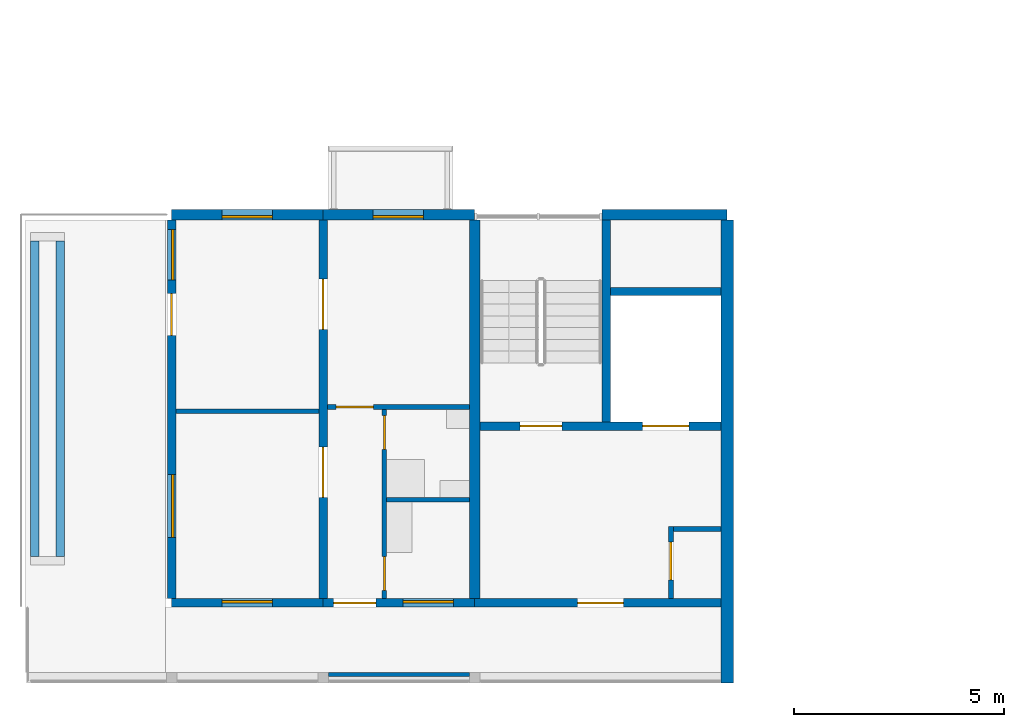
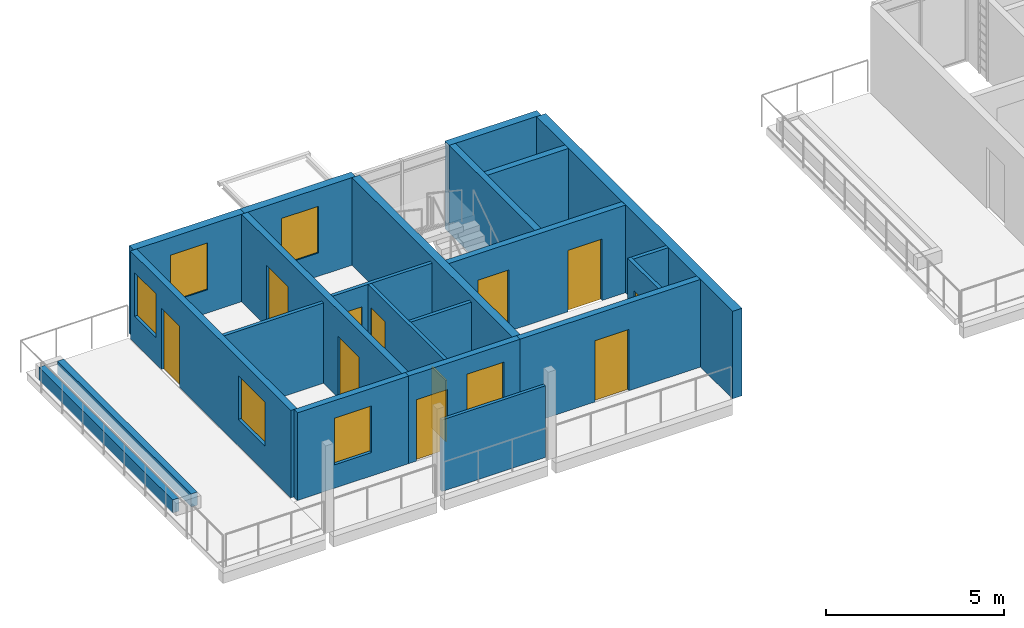
# One storey, part 26 of 55: 22 walls, 11 doors, 6 windows, 17 openings.
"""IFC4 building model written with IfcOpenShell, lengths in metres."""

import ifcopenshell
import ifcopenshell.guid

model = None  # the IFC model being written
_history = None  # IfcOwnerHistory: only IFC2X3 demands one
_inside = {}  # id of a spatial element -> (the spatial element, [elements in it])
_under = {}  # id of a project, library or spatial element -> (it, [spatial elements below it])
_declared = {}  # id of a project -> (the project, [libraries it declares])
_typed = {}  # id of a type object -> (the type object, [elements of that type])
_made_of = {}  # id of a material, layer set ... -> (it, [elements and type objects made of it])


def new_model(schema):
    """Start an empty IFC model of exactly this schema.

    Asked for "IFC4X3", IfcOpenShell would pick the latest addendum, in which some entities
    have other attributes; the version numbers below select the first issue.
    IFC2X3 requires an IfcOwnerHistory on every rooted entity: one is made here for all.
    """
    global model, _history
    if schema == "IFC4X3":
        model = ifcopenshell.file(schema_version=(4, 3, 0, 0))
    else:
        model = ifcopenshell.file(schema=schema)
    _inside.clear()
    _under.clear()
    _declared.clear()
    _typed.clear()
    _made_of.clear()
    _history = None
    if model.schema == "IFC2X3":
        org = make("IfcOrganization", Name="unknown")
        user = make(
            "IfcPersonAndOrganization",
            ThePerson=make("IfcPerson", FamilyName="unknown"),
            TheOrganization=org,
        )
        app = make(
            "IfcApplication",
            ApplicationDeveloper=org,
            Version="unknown",
            ApplicationFullName="unknown",
            ApplicationIdentifier="unknown",
        )
        _history = make(
            "IfcOwnerHistory",
            OwningUser=user,
            OwningApplication=app,
            ChangeAction="ADDED",
            CreationDate=0,
        )
    return model


def make(cls, **values):
    """One entity of the class cls with the attributes given. An attribute that is None is left unset."""
    return model.create_entity(
        cls, **{name: value for name, value in values.items() if value is not None}
    )


def rooted(cls, **values):
    """An entity with a GlobalId (a new one), such as an element, a storey or a relation."""
    return make(cls, GlobalId=ifcopenshell.guid.new(), OwnerHistory=_history, **values)


def si_unit(unit_type, name, prefix=None):
    """IfcSIUnit, for example si_unit("LENGTHUNIT", "METRE", prefix="MILLI")."""
    return make("IfcSIUnit", UnitType=unit_type, Prefix=prefix, Name=name)


def assignment(units):
    """IfcUnitAssignment: the units of a project."""
    return None if units is None else make("IfcUnitAssignment", Units=units)


def point(xyz):
    """IfcCartesianPoint."""
    return None if xyz is None else make("IfcCartesianPoint", Coordinates=xyz)


def direction(xyz):
    """IfcDirection."""
    return None if xyz is None else make("IfcDirection", DirectionRatios=xyz)


def frame(location, z_axis=None, x_axis=None):
    """IfcAxis2Placement3D, a coordinate frame: its origin and axes. An axis left out is left unset."""
    return make(
        "IfcAxis2Placement3D",
        Location=point(location),
        Axis=direction(z_axis),
        RefDirection=direction(x_axis),
    )


def frame_2d(location, x_axis=None):
    """IfcAxis2Placement2D, a coordinate frame in the plane: its origin and x axis."""
    return make(
        "IfcAxis2Placement2D", Location=point(location), RefDirection=direction(x_axis)
    )


def origin():
    """The frame at (0, 0, 0) with its axes left unset."""
    return frame((0.0, 0.0, 0.0))


def place(relative_to, where):
    """IfcLocalPlacement: puts the frame where relative to a parent placement (None: the world)."""
    return make(
        "IfcLocalPlacement", PlacementRelTo=relative_to, RelativePlacement=where
    )


def context(
    kind, dimensions, precision=None, world=None, true_north=None, identifier=None
):
    """IfcGeometricRepresentationContext, for example the 3D "Model" context."""
    return make(
        "IfcGeometricRepresentationContext",
        ContextIdentifier=identifier,
        ContextType=kind,
        CoordinateSpaceDimension=dimensions,
        Precision=precision,
        WorldCoordinateSystem=world,
        TrueNorth=true_north,
    )


def subcontext(parent, identifier, kind, view, scale=None):
    """IfcGeometricRepresentationSubContext, for example "Body" below "Model"."""
    return make(
        "IfcGeometricRepresentationSubContext",
        ContextIdentifier=identifier,
        ContextType=kind,
        ParentContext=parent,
        TargetScale=scale,
        TargetView=view,
    )


def project(units=None, contexts=None):
    """IfcProject with its units and contexts."""
    return rooted(
        "IfcProject",
        Name="project",
        RepresentationContexts=contexts,
        UnitsInContext=assignment(units),
    )


def spatial(cls, under=None, at=None, **own):
    """A site, building, storey or space (cls), placed at a placement, below another one or the project."""
    s = rooted(cls, ObjectPlacement=at, **own)
    if under is not None:
        _under.setdefault(under.id(), (under, []))[1].append(s)
    return s


def profile(cls, at=None, kind="AREA", **sizes):
    """A parametric profile (cls). Its sizes go by their IFC names, for example OverallWidth=200.0."""
    return make(cls, ProfileType=kind, Position=at, **sizes)


def rectangle(**sizes):
    """IfcRectangleProfileDef."""
    return profile("IfcRectangleProfileDef", **sizes)


def extrude(swept, where, along, depth):
    """IfcExtrudedAreaSolid: the profile swept, set in the frame where, extruded along a direction by depth."""
    return make(
        "IfcExtrudedAreaSolid",
        SweptArea=swept,
        Position=where,
        ExtrudedDirection=direction(along),
        Depth=depth,
    )


def shape(context_of_items, identifier, shape_type, items):
    """IfcShapeRepresentation: the items that make up one representation, for example the "Body"."""
    return make(
        "IfcShapeRepresentation",
        ContextOfItems=context_of_items,
        RepresentationIdentifier=identifier,
        RepresentationType=shape_type,
        Items=items,
    )


def material(Name=None, Category=None):
    """IfcMaterial."""
    return make("IfcMaterial", Name=Name, Category=Category)


def layer(
    of_material, thickness, ventilated=None, Name=None, Category=None, Priority=None
):
    """IfcMaterialLayer: one layer of a wall or slab, of a material (None: an air gap)."""
    return make(
        "IfcMaterialLayer",
        Material=of_material,
        LayerThickness=thickness,
        IsVentilated=ventilated,
        Name=Name,
        Category=Category,
        Priority=Priority,
    )


def layer_set(layers, Name=None):
    """IfcMaterialLayerSet."""
    return make("IfcMaterialLayerSet", MaterialLayers=layers, LayerSetName=Name)


def made_of(thing, what):
    """Note that an element or type object is made of a material, layer set ...; save() writes the relation."""
    if what is not None:
        _made_of.setdefault(what.id(), (what, []))[1].append(thing)
    return thing


def type_object(cls, material=None, **own):
    """A type object (cls), such as IfcWallType, which elements share."""
    return made_of(rooted(cls, **own), material)


def element(
    cls,
    number,
    at=None,
    inside=None,
    cuts=None,
    type_object=None,
    material=None,
    context=None,
    identifier="Body",
    shape_type=None,
    held_by="IfcProductDefinitionShape",
    body=None,
    shapes=None,
    **own,
):
    """One element of the class cls, such as IfcWall. Its Tag is "e" and its number.

    at: its placement. inside: the storey or other place that contains it. cuts: it is an
    opening in that element (IfcRelVoidsElement). A single representation is given by context,
    identifier, shape_type and body (its items); several are given by shapes. held_by: the class
    of the entity that holds the representations. save() writes the other relations.
    """
    e = rooted(cls, Tag="e%d" % number, ObjectPlacement=at, **own)
    if body is not None:
        shapes = [shape(context, identifier, shape_type, body)]
    if shapes is not None:
        e.Representation = make(held_by, Representations=shapes)
    if inside is not None:
        _inside.setdefault(inside.id(), (inside, []))[1].append(e)
    if cuts is not None:
        rooted(
            "IfcRelVoidsElement", RelatingBuildingElement=cuts, RelatedOpeningElement=e
        )
    if type_object is not None:
        _typed.setdefault(type_object.id(), (type_object, []))[1].append(e)
    return made_of(e, material)


def fill(opening, filler):
    """IfcRelFillsElement: the door or window that sits in an opening."""
    return rooted(
        "IfcRelFillsElement",
        RelatingOpeningElement=opening,
        RelatedBuildingElement=filler,
    )


def aggregate(whole, parts):
    """IfcRelAggregates: a whole, such as a stair, and the parts it consists of."""
    return rooted("IfcRelAggregates", RelatingObject=whole, RelatedObjects=parts)


def save(model, path):
    """Write the relations noted so far, then the file.

    IfcRelAggregates (storeys below a building ...), IfcRelContainedInSpatialStructure (elements
    in a storey), IfcRelDefinesByType, IfcRelAssociatesMaterial and IfcRelDeclares: one each for
    every whole, place, type object, material and project.
    """
    for whole, parts in _under.values():
        aggregate(whole, parts)
    for where, things in _inside.values():
        rooted(
            "IfcRelContainedInSpatialStructure",
            RelatedElements=things,
            RelatingStructure=where,
        )
    for kind, things in _typed.values():
        rooted("IfcRelDefinesByType", RelatedObjects=things, RelatingType=kind)
    for what, things in _made_of.values():
        rooted("IfcRelAssociatesMaterial", RelatedObjects=things, RelatingMaterial=what)
    for by, libraries in _declared.values():
        rooted("IfcRelDeclares", RelatingContext=by, RelatedDefinitions=libraries)
    model.write(path)


model = new_model("IFC4")

# Units and contexts
model_context = context("Model", 3, precision=1e-05, world=origin(), true_north=direction((0.0, 1.0)))
body_context = subcontext(model_context, "Body", "Model", "MODEL_VIEW")
ifc_project = project(units=[si_unit("LENGTHUNIT", "METRE"), si_unit("AREAUNIT", "SQUARE_METRE"), si_unit("VOLUMEUNIT", "CUBIC_METRE"), si_unit("PLANEANGLEUNIT", "RADIAN"), si_unit("MASSUNIT", "GRAM", prefix="KILO")], contexts=[model_context])

# Site, building, storey
site_placement = place(None, origin())
site = spatial("IfcSite", under=ifc_project, at=site_placement, CompositionType="ELEMENT")
building_placement = place(site_placement, origin())
building = spatial("IfcBuilding", under=site, at=building_placement, Name="Ridgestep Commons", CompositionType="ELEMENT")
storey_placement = place(building_placement, frame((0.0, 0.0, 36.0)))
storey = spatial("IfcBuildingStorey", under=building, at=storey_placement, Name="L12", CompositionType="ELEMENT", Elevation=36.0)

# Wall
ifc_material_1 = material(Name="Concrete C30/37", Category="concrete")
ifc_layer_1 = layer(ifc_material_1, 0.25)
ifc_layer_set_1 = layer_set([ifc_layer_1], Name="Core cross wall 250")
wall_type_1 = type_object("IfcWallType", Name="Core cross wall 250", PredefinedType="SHEAR", material=ifc_layer_set_1)
wall_1_placement = place(storey_placement, frame((22.800048828125, 13.75, 0.0), z_axis=(0.0, 0.0, 1.0), x_axis=(0.0, 1.0, 0.0)))
element("IfcWall", 1, at=wall_1_placement, inside=storey, type_object=wall_type_1, Name="Cross wall A-12-0228", PredefinedType="SHEAR", context=body_context, shape_type="SweptSolid", body=[
    extrude(rectangle(XDim=9.0, YDim=0.25, at=frame_2d((4.5, 0.0))), origin(), (0.0, 0.0, 1.0), 3.0),
])

# Wall, opening, door
ifc_material_2 = material(Name="Concrete C30/37", Category="concrete")
ifc_layer_2 = layer(ifc_material_2, 0.199951171875)
ifc_layer_set_2 = layer_set([ifc_layer_2], Name="Core south wall 200")
wall_type_2 = type_object("IfcWallType", Name="Core south wall 200", PredefinedType="SHEAR", material=ifc_layer_set_2)
wall_2_placement = place(storey_placement, frame((22.800048828125, 13.64990234375, 0.0), z_axis=(0.0, 0.0, 1.0), x_axis=(1.0, 0.0, 0.0)))
wall_2 = element("IfcWall", 2, at=wall_2_placement, inside=storey, type_object=wall_type_2, Name="Core south wall A1C L12", PredefinedType="SHEAR", context=body_context, shape_type="SweptSolid", body=[
    extrude(rectangle(XDim=5.849853515625, YDim=0.199951171875, at=frame_2d((2.9248046875, 0.0))), origin(), (0.0, 0.0, 1.0), 3.0),
])
opening_1_placement = place(wall_2_placement, frame((2.4375, 0.0, 0.0)))
opening_1 = element("IfcOpeningElement", 3, at=opening_1_placement, cuts=wall_2, Name="Opening A1C/12/1", PredefinedType="OPENING", context=body_context, shape_type="SweptSolid", body=[
    extrude(rectangle(XDim=1.10009765625, YDim=2.10009765625, at=frame_2d((0.550048828125, 1.050048828125))), frame((0.0, 0.10986328125, 0.0), z_axis=(0.0, -1.0, 0.0), x_axis=(1.0, 0.0, 0.0)), (0.0, 0.0, 1.0), 0.219970703125),
])
ifc_material_3 = material(Name="Steel fire door", Category="steel")
door_type_1 = type_object("IfcDoorType", Name="Lobby door 1100 x 2100 FD60", OperationType="NOTDEFINED", PredefinedType="DOOR", material=ifc_material_3)
door_1_placement = place(opening_1_placement, origin())
door_1 = element("IfcDoor", 4, at=door_1_placement, inside=storey, type_object=door_type_1, Name="Lobby door A1C/12/1", OperationType="SINGLE_SWING_LEFT", OverallHeight=2.10009765625, OverallWidth=1.10009765625, PredefinedType="DOOR", context=body_context, shape_type="SweptSolid", body=[
    extrude(rectangle(XDim=1.10009765625, YDim=2.10009765625, at=frame_2d((0.550048828125, 1.050048828125))), frame((0.0, 0.02490234375, 0.0), z_axis=(0.0, -1.0, 0.0), x_axis=(1.0, 0.0, 0.0)), (0.0, 0.0, 1.0), 0.050048828125),
])
fill(opening_1, door_1)

ifc_material_4 = material(Name="Concrete C30/37", Category="concrete")
ifc_layer_3 = layer(ifc_material_4, 0.1201171875)
ifc_layer_set_3 = layer_set([ifc_layer_3], Name="Core wall 120")
wall_type_3 = type_object("IfcWallType", Name="Core wall 120", PredefinedType="SHEAR", material=ifc_layer_set_3)
wall_3_placement = place(storey_placement, frame((27.4599609375, 13.75, 0.0), z_axis=(0.0, 0.0, 1.0), x_axis=(0.0, 1.0, 0.0)))
wall_3 = element("IfcWall", 5, at=wall_3_placement, inside=storey, type_object=wall_type_3, Name="Core riser w wall A1C L12", PredefinedType="SHEAR", context=body_context, shape_type="SweptSolid", body=[
    extrude(rectangle(XDim=1.719970703125, YDim=0.1201171875, at=frame_2d((0.85986328125, 0.0))), origin(), (0.0, 0.0, 1.0), 3.0),
])
opening_2_placement = place(wall_3_placement, frame((0.449951171875, 0.0, 0.0)))
opening_2 = element("IfcOpeningElement", 6, at=opening_2_placement, cuts=wall_3, Name="Opening A1C/12/4", PredefinedType="OPENING", context=body_context, shape_type="SweptSolid", body=[
    extrude(rectangle(XDim=0.89990234375, YDim=2.10009765625, at=frame_2d((0.449951171875, 1.050048828125))), frame((0.0, 0.070068359375, 0.0), z_axis=(0.0, -1.0, 0.0), x_axis=(1.0, 0.0, 0.0)), (0.0, 0.0, 1.0), 0.14013671875),
])
ifc_material_5 = material(Name="Steel fire door", Category="steel")
door_type_2 = type_object("IfcDoorType", Name="Riser door 900 x 2100 FD60", OperationType="NOTDEFINED", PredefinedType="DOOR", material=ifc_material_5)
door_2_placement = place(opening_2_placement, origin())
door_2 = element("IfcDoor", 7, at=door_2_placement, inside=storey, type_object=door_type_2, Name="Riser door A1C/12/4", OperationType="SINGLE_SWING_LEFT", OverallHeight=2.10009765625, OverallWidth=0.89990234375, PredefinedType="DOOR", context=body_context, shape_type="SweptSolid", body=[
    extrude(rectangle(XDim=0.89990234375, YDim=2.10009765625, at=frame_2d((0.449951171875, 1.050048828125))), frame((0.0, 0.02490234375, 0.0), z_axis=(0.0, -1.0, 0.0), x_axis=(1.0, 0.0, 0.0)), (0.0, 0.0, 1.0), 0.050048828125),
])
fill(opening_2, door_2)

# Wall
wall_4_placement = place(storey_placement, frame((27.52001953125, 15.409912109375, 0.0), z_axis=(0.0, 0.0, 1.0), x_axis=(1.0, 0.0, 0.0)))
element("IfcWall", 8, at=wall_4_placement, inside=storey, type_object=wall_type_3, Name="Core riser n wall A1C L12", PredefinedType="SHEAR", context=body_context, shape_type="SweptSolid", body=[
    extrude(rectangle(XDim=1.1298828125, YDim=0.1201171875, at=frame_2d((0.56494140625, 0.0))), origin(), (0.0, 0.0, 1.0), 3.0),
])

# Wall, openings, doors
ifc_material_6 = material(Name="Concrete C30/37", Category="concrete")
ifc_layer_4 = layer(ifc_material_6, 0.199951171875)
ifc_layer_set_4 = layer_set([ifc_layer_4], Name="Core wall 200")
wall_type_4 = type_object("IfcWallType", Name="Core wall 200", PredefinedType="SHEAR", material=ifc_layer_set_4)
wall_5_placement = place(storey_placement, frame((22.925048828125, 17.85009765625, 0.0), z_axis=(0.0, 0.0, 1.0), x_axis=(1.0, 0.0, 0.0)))
wall_5 = element("IfcWall", 9, at=wall_5_placement, inside=storey, type_object=wall_type_4, Name="Core lobby wall A1C L12", PredefinedType="SHEAR", context=body_context, shape_type="SweptSolid", body=[
    extrude(rectangle(XDim=5.724853515625, YDim=0.199951171875, at=frame_2d((2.8623046875, 0.0))), origin(), (0.0, 0.0, 1.0), 3.0),
])
opening_3_placement = place(wall_5_placement, frame((0.949951171875, 0.0, 0.0)))
opening_3 = element("IfcOpeningElement", 10, at=opening_3_placement, cuts=wall_5, Name="Opening A1C/12/2", PredefinedType="OPENING", context=body_context, shape_type="SweptSolid", body=[
    extrude(rectangle(XDim=1.0, YDim=2.10009765625, at=frame_2d((0.5, 1.050048828125))), frame((0.0, 0.10986328125, 0.0), z_axis=(0.0, -1.0, 0.0), x_axis=(1.0, 0.0, 0.0)), (0.0, 0.0, 1.0), 0.219970703125),
])
opening_4_placement = place(wall_5_placement, frame((3.862548828125, 0.0, 0.0)))
opening_4 = element("IfcOpeningElement", 11, at=opening_4_placement, cuts=wall_5, Name="Opening A1C/12/3", PredefinedType="OPENING", context=body_context, shape_type="SweptSolid", body=[
    extrude(rectangle(XDim=1.10009765625, YDim=2.10009765625, at=frame_2d((0.550048828125, 1.050048828125))), frame((0.0, 0.10986328125, 0.0), z_axis=(0.0, -1.0, 0.0), x_axis=(1.0, 0.0, 0.0)), (0.0, 0.0, 1.0), 0.219970703125),
])
ifc_material_7 = material(Name="Stainless steel", Category="steel")
door_type_3 = type_object("IfcDoorType", Name="Lift landing door 1100 x 2100 FD60", OperationType="DOUBLE_DOOR_SLIDING", PredefinedType="DOOR", material=ifc_material_7)
door_3_placement = place(opening_4_placement, origin())
door_3 = element("IfcDoor", 12, at=door_3_placement, inside=storey, type_object=door_type_3, Name="Landing door LD A1C L12", OperationType="DOUBLE_DOOR_SLIDING", OverallHeight=2.10009765625, OverallWidth=1.10009765625, PredefinedType="DOOR", context=body_context, shape_type="SweptSolid", body=[
    extrude(rectangle(XDim=1.10009765625, YDim=2.10009765625, at=frame_2d((0.550048828125, 1.050048828125))), frame((0.0, 0.02490234375, 0.0), z_axis=(0.0, -1.0, 0.0), x_axis=(1.0, 0.0, 0.0)), (0.0, 0.0, 1.0), 0.050048828125),
])
fill(opening_4, door_3)
ifc_material_8 = material(Name="Steel fire door", Category="steel")
door_type_4 = type_object("IfcDoorType", Name="Stair door 1000 x 2100 FD60", OperationType="NOTDEFINED", PredefinedType="DOOR", material=ifc_material_8)
door_4_placement = place(opening_3_placement, origin())
door_4 = element("IfcDoor", 13, at=door_4_placement, inside=storey, type_object=door_type_4, Name="Stair door A1C/12/2", OperationType="SINGLE_SWING_RIGHT", OverallHeight=2.10009765625, OverallWidth=1.0, PredefinedType="DOOR", context=body_context, shape_type="SweptSolid", body=[
    extrude(rectangle(XDim=1.0, YDim=2.10009765625, at=frame_2d((0.5, 1.050048828125))), frame((0.0, 0.02490234375, 0.0), z_axis=(0.0, -1.0, 0.0), x_axis=(1.0, 0.0, 0.0)), (0.0, 0.0, 1.0), 0.050048828125),
])
fill(opening_3, door_4)

# Walls
wall_6_placement = place(storey_placement, frame((25.925048828125, 17.949951171875, 0.0), z_axis=(0.0, 0.0, 1.0), x_axis=(0.0, 1.0, 0.0)))
element("IfcWall", 14, at=wall_6_placement, inside=storey, type_object=wall_type_4, Name="Core stair wall A1C L12", PredefinedType="SHEAR", context=body_context, shape_type="SweptSolid", body=[
    extrude(rectangle(XDim=4.800048828125, YDim=0.199951171875, at=frame_2d((2.39990234375, 0.0))), origin(), (0.0, 0.0, 1.0), 3.0),
])
wall_7_placement = place(storey_placement, frame((26.02490234375, 21.050048828125, 0.0), z_axis=(0.0, 0.0, 1.0), x_axis=(1.0, 0.0, 0.0)))
element("IfcWall", 15, at=wall_7_placement, inside=storey, type_object=wall_type_4, Name="Core duct wall A1C L12", PredefinedType="SHEAR", context=body_context, shape_type="SweptSolid", body=[
    extrude(rectangle(XDim=2.625, YDim=0.199951171875, at=frame_2d((1.3125, 0.0))), origin(), (0.0, 0.0, 1.0), 3.0),
])

# Wall, openings, doors
ifc_material_9 = material(Name="Precast concrete C40/50", Category="concrete")
ifc_layer_5 = layer(ifc_material_9, 0.199951171875)
ifc_layer_set_5 = layer_set([ifc_layer_5], Name="Cross wall 200")
wall_type_5 = type_object("IfcWallType", Name="Cross wall 200", PredefinedType="SHEAR", material=ifc_layer_set_5)
wall_8_placement = place(storey_placement, frame((19.199951171875, 13.75, 0.0), z_axis=(0.0, 0.0, 1.0), x_axis=(0.0, 1.0, 0.0)))
wall_8 = element("IfcWall", 16, at=wall_8_placement, inside=storey, type_object=wall_type_5, Name="Cross wall A-12-0192", PredefinedType="SHEAR", context=body_context, shape_type="SweptSolid", body=[
    extrude(rectangle(XDim=9.0, YDim=0.199951171875, at=frame_2d((4.5, 0.0))), origin(), (0.0, 0.0, 1.0), 3.0),
])
opening_5_placement = place(wall_8_placement, frame((2.39990234375, 0.0, 0.0)))
opening_5 = element("IfcOpeningElement", 17, at=opening_5_placement, cuts=wall_8, Name="Opening A1-12a/5", PredefinedType="OPENING", context=body_context, shape_type="SweptSolid", body=[
    extrude(rectangle(XDim=1.199951171875, YDim=2.10009765625, at=frame_2d((0.60009765625, 1.050048828125))), frame((0.0, 0.10986328125, 0.0), z_axis=(0.0, -1.0, 0.0), x_axis=(1.0, 0.0, 0.0)), (0.0, 0.0, 1.0), 0.219970703125),
])
opening_6_placement = place(wall_8_placement, frame((6.39990234375, 0.0, 0.0)))
opening_6 = element("IfcOpeningElement", 18, at=opening_6_placement, cuts=wall_8, Name="Opening A1-12a/6", PredefinedType="OPENING", context=body_context, shape_type="SweptSolid", body=[
    extrude(rectangle(XDim=1.199951171875, YDim=2.10009765625, at=frame_2d((0.60009765625, 1.050048828125))), frame((0.0, 0.10986328125, 0.0), z_axis=(0.0, -1.0, 0.0), x_axis=(1.0, 0.0, 0.0)), (0.0, 0.0, 1.0), 0.219970703125),
])
ifc_material_10 = material(Name="Timber door leaf", Category="wood")
door_type_5 = type_object("IfcDoorType", Name="Double door 1200 x 2100", OperationType="DOUBLE_DOOR_SINGLE_SWING", PredefinedType="DOOR", material=ifc_material_10)
door_5_placement = place(opening_5_placement, origin())
door_5 = element("IfcDoor", 19, at=door_5_placement, inside=storey, type_object=door_type_5, Name="Double door A1-12a/5", OperationType="DOUBLE_DOOR_SINGLE_SWING", OverallHeight=2.10009765625, OverallWidth=1.199951171875, PredefinedType="DOOR", context=body_context, shape_type="SweptSolid", body=[
    extrude(rectangle(XDim=1.199951171875, YDim=2.10009765625, at=frame_2d((0.60009765625, 1.050048828125))), frame((0.0, 0.02490234375, 0.0), z_axis=(0.0, -1.0, 0.0), x_axis=(1.0, 0.0, 0.0)), (0.0, 0.0, 1.0), 0.050048828125),
])
fill(opening_5, door_5)
door_6_placement = place(opening_6_placement, origin())
door_6 = element("IfcDoor", 20, at=door_6_placement, inside=storey, type_object=door_type_5, Name="Double door A1-12a/6", OperationType="DOUBLE_DOOR_SINGLE_SWING", OverallHeight=2.10009765625, OverallWidth=1.199951171875, PredefinedType="DOOR", context=body_context, shape_type="SweptSolid", body=[
    extrude(rectangle(XDim=1.199951171875, YDim=2.10009765625, at=frame_2d((0.60009765625, 1.050048828125))), frame((0.0, 0.02490234375, 0.0), z_axis=(0.0, -1.0, 0.0), x_axis=(1.0, 0.0, 0.0)), (0.0, 0.0, 1.0), 0.050048828125),
])
fill(opening_6, door_6)

# Wall, openings, windows, door
ifc_material_11 = material(Name="Precast concrete C40/50", Category="concrete")
ifc_layer_6 = layer(ifc_material_11, 0.199951171875)
ifc_layer_set_6 = layer_set([ifc_layer_6], Name="Exposed cross wall 200")
wall_type_6 = type_object("IfcWallType", Name="Exposed cross wall 200", PredefinedType="SHEAR", material=ifc_layer_set_6)
wall_9_placement = place(storey_placement, frame((15.60009765625, 13.75, 0.0), z_axis=(0.0, 0.0, 1.0), x_axis=(0.0, 1.0, 0.0)))
wall_9 = element("IfcWall", 21, at=wall_9_placement, inside=storey, type_object=wall_type_6, Name="Cross wall A-12-0156", PredefinedType="SHEAR", context=body_context, shape_type="SweptSolid", body=[
    extrude(rectangle(XDim=9.0, YDim=0.199951171875, at=frame_2d((4.5, 0.0))), origin(), (0.0, 0.0, 1.0), 3.0),
])
opening_7_placement = place(wall_9_placement, frame((1.449951171875, 0.0, 0.89990234375)))
opening_7 = element("IfcOpeningElement", 22, at=opening_7_placement, cuts=wall_9, Name="Opening W16", PredefinedType="OPENING", context=body_context, shape_type="SweptSolid", body=[
    extrude(rectangle(XDim=1.5, YDim=1.5, at=frame_2d((0.75, 0.75))), frame((0.0, 0.10986328125, 0.0), z_axis=(0.0, -1.0, 0.0), x_axis=(1.0, 0.0, 0.0)), (0.0, 0.0, 1.0), 0.219970703125),
])
opening_8_placement = place(wall_9_placement, frame((7.577392578125, 0.0, 0.89990234375)))
opening_8 = element("IfcOpeningElement", 23, at=opening_8_placement, cuts=wall_9, Name="Opening W10", PredefinedType="OPENING", context=body_context, shape_type="SweptSolid", body=[
    extrude(rectangle(XDim=1.199951171875, YDim=1.5, at=frame_2d((0.60009765625, 0.75))), frame((0.0, 0.10986328125, 0.0), z_axis=(0.0, -1.0, 0.0), x_axis=(1.0, 0.0, 0.0)), (0.0, 0.0, 1.0), 0.219970703125),
])
opening_9_placement = place(wall_9_placement, frame((6.2548828125, 0.0, 0.0)))
opening_9 = element("IfcOpeningElement", 24, at=opening_9_placement, cuts=wall_9, Name="Opening A1-12a/7", PredefinedType="OPENING", context=body_context, shape_type="SweptSolid", body=[
    extrude(rectangle(XDim=1.0, YDim=2.10009765625, at=frame_2d((0.5, 1.050048828125))), frame((0.0, 0.10986328125, 0.0), z_axis=(0.0, -1.0, 0.0), x_axis=(1.0, 0.0, 0.0)), (0.0, 0.0, 1.0), 0.219970703125),
])
ifc_material_12 = material(Name="Aluminium 6063-T6 and glass", Category="aluminium")
window_type_1 = type_object("IfcWindowType", Name="Flat window 1200 x 1500", PartitioningType="SINGLE_PANEL", PredefinedType="WINDOW", material=ifc_material_12)
window_1_placement = place(opening_8_placement, origin())
window_1 = element("IfcWindow", 25, at=window_1_placement, inside=storey, type_object=window_type_1, Name="Window A1-12a 6", OverallHeight=1.5, OverallWidth=1.199951171875, PartitioningType="SINGLE_PANEL", PredefinedType="WINDOW", context=body_context, shape_type="SweptSolid", body=[
    extrude(rectangle(XDim=1.199951171875, YDim=1.5, at=frame_2d((0.60009765625, 0.75))), frame((0.0, 0.0, 0.0), z_axis=(0.0, -1.0, 0.0), x_axis=(1.0, 0.0, 0.0)), (0.0, 0.0, 1.0), 0.06005859375),
])
fill(opening_8, window_1)
ifc_material_13 = material(Name="Aluminium 6063-T6 and glass", Category="aluminium")
window_type_2 = type_object("IfcWindowType", Name="Flat window 1500 x 1500", PartitioningType="DOUBLE_PANEL_VERTICAL", PredefinedType="WINDOW", material=ifc_material_13)
window_2_placement = place(opening_7_placement, origin())
window_2 = element("IfcWindow", 26, at=window_2_placement, inside=storey, type_object=window_type_2, Name="Window A1-12a 5", OverallHeight=1.5, OverallWidth=1.5, PartitioningType="SINGLE_PANEL", PredefinedType="WINDOW", context=body_context, shape_type="SweptSolid", body=[
    extrude(rectangle(XDim=1.5, YDim=1.5, at=frame_2d((0.75, 0.75))), frame((0.0, 0.0, 0.0), z_axis=(0.0, -1.0, 0.0), x_axis=(1.0, 0.0, 0.0)), (0.0, 0.0, 1.0), 0.06005859375),
])
fill(opening_7, window_2)
ifc_material_14 = material(Name="Aluminium and glass", Category="aluminium")
door_type_6 = type_object("IfcDoorType", Name="Terrace door 1000 x 2100", OperationType="NOTDEFINED", PredefinedType="DOOR", material=ifc_material_14)
door_7_placement = place(opening_9_placement, origin())
door_7 = element("IfcDoor", 27, at=door_7_placement, inside=storey, type_object=door_type_6, Name="Terrace door A1-12a/7", OperationType="SINGLE_SWING_RIGHT", OverallHeight=2.10009765625, OverallWidth=1.0, PredefinedType="DOOR", context=body_context, shape_type="SweptSolid", body=[
    extrude(rectangle(XDim=1.0, YDim=2.10009765625, at=frame_2d((0.5, 1.050048828125))), frame((0.0, 0.02490234375, 0.0), z_axis=(0.0, -1.0, 0.0), x_axis=(1.0, 0.0, 0.0)), (0.0, 0.0, 1.0), 0.050048828125),
])
fill(opening_9, door_7)

# Wall
ifc_material_15 = material(Name="Precast concrete C40/50", Category="concrete")
ifc_layer_7 = layer(ifc_material_15, 0.300048828125)
ifc_layer_set_7 = layer_set([ifc_layer_7], Name="Exposed division wall 300")
wall_type_7 = type_object("IfcWallType", Name="Exposed division wall 300", PredefinedType="SHEAR", material=ifc_layer_set_7)
wall_10_placement = place(storey_placement, frame((28.800048828125, 11.75, 0.0), z_axis=(0.0, 0.0, 1.0), x_axis=(0.0, 1.0, 0.0)))
element("IfcWall", 28, at=wall_10_placement, inside=storey, type_object=wall_type_7, Name="Cross wall A-12-0288", PredefinedType="SHEAR", context=body_context, shape_type="SweptSolid", body=[
    extrude(rectangle(XDim=11.0, YDim=0.300048828125, at=frame_2d((5.5, 0.0))), origin(), (0.0, 0.0, 1.0), 3.0),
])

# Wall, opening, window
ifc_material_16 = material(Name="Precast concrete C40/50", Category="concrete")
ifc_layer_8 = layer(ifc_material_16, 0.25)
ifc_layer_set_8 = layer_set([ifc_layer_8], Name="North facade panel 250")
wall_type_8 = type_object("IfcWallType", Name="North facade panel 250", PredefinedType="SOLIDWALL", material=ifc_layer_set_8)
wall_11_placement = place(storey_placement, frame((15.60009765625, 22.875, 0.0), z_axis=(0.0, 0.0, 1.0), x_axis=(1.0, 0.0, 0.0)))
wall_11 = element("IfcWall", 29, at=wall_11_placement, inside=storey, type_object=wall_type_8, Name="North panel A1T2 L12", PredefinedType="SOLIDWALL", context=body_context, shape_type="SweptSolid", body=[
    extrude(rectangle(XDim=3.599853515625, YDim=0.25, at=frame_2d((1.7998046875, 0.0))), origin(), (0.0, 0.0, 1.0), 3.0),
])
opening_10_placement = place(wall_11_placement, frame((1.199951171875, 0.0, 0.800048828125)))
opening_10 = element("IfcOpeningElement", 30, at=opening_10_placement, cuts=wall_11, Name="Opening W11", PredefinedType="OPENING", context=body_context, shape_type="SweptSolid", body=[
    extrude(rectangle(XDim=1.199951171875, YDim=1.60009765625, at=frame_2d((0.60009765625, 0.800048828125))), frame((0.0, 0.135009765625, 0.0), z_axis=(0.0, -1.0, 0.0), x_axis=(1.0, 0.0, 0.0)), (0.0, 0.0, 1.0), 0.27001953125),
])
ifc_material_17 = material(Name="Aluminium 6063-T6 and glass", Category="aluminium")
window_type_3 = type_object("IfcWindowType", Name="Flat window 1200 x 1600", PartitioningType="SINGLE_PANEL", PredefinedType="WINDOW", material=ifc_material_17)
window_3_placement = place(opening_10_placement, origin())
window_3 = element("IfcWindow", 31, at=window_3_placement, inside=storey, type_object=window_type_3, Name="Window A1-12a 2", OverallHeight=1.60009765625, OverallWidth=1.199951171875, PartitioningType="SINGLE_PANEL", PredefinedType="WINDOW", context=body_context, shape_type="SweptSolid", body=[
    extrude(rectangle(XDim=1.199951171875, YDim=1.60009765625, at=frame_2d((0.60009765625, 0.800048828125))), frame((0.0, -0.02490234375, 0.0), z_axis=(0.0, -1.0, 0.0), x_axis=(1.0, 0.0, 0.0)), (0.0, 0.0, 1.0), 0.06005859375),
])
fill(opening_10, window_3)

wall_12_placement = place(storey_placement, frame((19.199951171875, 22.875, 0.0), z_axis=(0.0, 0.0, 1.0), x_axis=(1.0, 0.0, 0.0)))
wall_12 = element("IfcWall", 32, at=wall_12_placement, inside=storey, type_object=wall_type_8, Name="North panel A1T3 L12", PredefinedType="SOLIDWALL", context=body_context, shape_type="SweptSolid", body=[
    extrude(rectangle(XDim=3.60009765625, YDim=0.25, at=frame_2d((1.800048828125, 0.0))), origin(), (0.0, 0.0, 1.0), 3.0),
])
opening_11_placement = place(wall_12_placement, frame((1.1875, 0.0, 0.800048828125)))
opening_11 = element("IfcOpeningElement", 33, at=opening_11_placement, cuts=wall_12, Name="Opening W11", PredefinedType="OPENING", context=body_context, shape_type="SweptSolid", body=[
    extrude(rectangle(XDim=1.199951171875, YDim=1.60009765625, at=frame_2d((0.60009765625, 0.800048828125))), frame((0.0, 0.135009765625, 0.0), z_axis=(0.0, -1.0, 0.0), x_axis=(1.0, 0.0, 0.0)), (0.0, 0.0, 1.0), 0.27001953125),
])
window_4_placement = place(opening_11_placement, origin())
window_4 = element("IfcWindow", 34, at=window_4_placement, inside=storey, type_object=window_type_3, Name="Window A1-12a 4", OverallHeight=1.60009765625, OverallWidth=1.199951171875, PartitioningType="SINGLE_PANEL", PredefinedType="WINDOW", context=body_context, shape_type="SweptSolid", body=[
    extrude(rectangle(XDim=1.199951171875, YDim=1.60009765625, at=frame_2d((0.60009765625, 0.800048828125))), frame((0.0, -0.02490234375, 0.0), z_axis=(0.0, -1.0, 0.0), x_axis=(1.0, 0.0, 0.0)), (0.0, 0.0, 1.0), 0.06005859375),
])
fill(opening_11, window_4)

# Wall
wall_13_placement = place(storey_placement, frame((25.824951171875, 22.875, 0.0), z_axis=(0.0, 0.0, 1.0), x_axis=(1.0, 0.0, 0.0)))
element("IfcWall", 35, at=wall_13_placement, inside=storey, type_object=wall_type_8, Name="North panel A1C L12", PredefinedType="SOLIDWALL", context=body_context, shape_type="SweptSolid", body=[
    extrude(rectangle(XDim=2.97509765625, YDim=0.25, at=frame_2d((1.487548828125, 0.0))), origin(), (0.0, 0.0, 1.0), 3.0),
])

# Wall, openings, doors
ifc_material_18 = material(Name="Common brick 110 mm", Category="masonry")
ifc_layer_9 = layer(ifc_material_18, 0.110107421875)
ifc_layer_set_9 = layer_set([ifc_layer_9], Name="Partition 110")
wall_type_9 = type_object("IfcWallType", Name="Partition 110", PredefinedType="PARTITIONING", material=ifc_layer_set_9)
wall_14_placement = place(storey_placement, frame((20.655029296875, 13.75, 0.0), z_axis=(0.0, 0.0, 1.0), x_axis=(0.0, 1.0, 0.0)))
wall_14 = element("IfcWall", 36, at=wall_14_placement, inside=storey, type_object=wall_type_9, Name="Partition A1-12a", PredefinedType="PARTITIONING", context=body_context, shape_type="SweptSolid", body=[
    extrude(rectangle(XDim=4.5, YDim=0.110107421875, at=frame_2d((2.25, 0.0))), origin(), (0.0, 0.0, 1.0), 2.800048828125),
])
opening_12_placement = place(wall_14_placement, frame((0.199951171875, 0.0, 0.0)))
opening_12 = element("IfcOpeningElement", 37, at=opening_12_placement, cuts=wall_14, Name="Opening A1-12a/2", PredefinedType="OPENING", context=body_context, shape_type="SweptSolid", body=[
    extrude(rectangle(XDim=0.800048828125, YDim=2.10009765625, at=frame_2d((0.39990234375, 1.050048828125))), frame((0.0, 0.06494140625, 0.0), z_axis=(0.0, -1.0, 0.0), x_axis=(1.0, 0.0, 0.0)), (0.0, 0.0, 1.0), 0.130126953125),
])
opening_13_placement = place(wall_14_placement, frame((3.550048828125, 0.0, 0.0)))
opening_13 = element("IfcOpeningElement", 38, at=opening_13_placement, cuts=wall_14, Name="Opening A1-12a/3", PredefinedType="OPENING", context=body_context, shape_type="SweptSolid", body=[
    extrude(rectangle(XDim=0.800048828125, YDim=2.10009765625, at=frame_2d((0.39990234375, 1.050048828125))), frame((0.0, 0.06494140625, 0.0), z_axis=(0.0, -1.0, 0.0), x_axis=(1.0, 0.0, 0.0)), (0.0, 0.0, 1.0), 0.130126953125),
])
ifc_material_19 = material(Name="Timber door leaf", Category="wood")
door_type_7 = type_object("IfcDoorType", Name="Internal door 800 x 2100", OperationType="NOTDEFINED", PredefinedType="DOOR", material=ifc_material_19)
door_8_placement = place(opening_12_placement, origin())
door_8 = element("IfcDoor", 39, at=door_8_placement, inside=storey, type_object=door_type_7, Name="Internal door A1-12a/2", OperationType="SINGLE_SWING_RIGHT", OverallHeight=2.10009765625, OverallWidth=0.800048828125, PredefinedType="DOOR", context=body_context, shape_type="SweptSolid", body=[
    extrude(rectangle(XDim=0.800048828125, YDim=2.10009765625, at=frame_2d((0.39990234375, 1.050048828125))), frame((0.0, 0.02490234375, 0.0), z_axis=(0.0, -1.0, 0.0), x_axis=(1.0, 0.0, 0.0)), (0.0, 0.0, 1.0), 0.050048828125),
])
fill(opening_12, door_8)
door_9_placement = place(opening_13_placement, origin())
door_9 = element("IfcDoor", 40, at=door_9_placement, inside=storey, type_object=door_type_7, Name="Internal door A1-12a/3", OperationType="SINGLE_SWING_LEFT", OverallHeight=2.10009765625, OverallWidth=0.800048828125, PredefinedType="DOOR", context=body_context, shape_type="SweptSolid", body=[
    extrude(rectangle(XDim=0.800048828125, YDim=2.10009765625, at=frame_2d((0.39990234375, 1.050048828125))), frame((0.0, 0.02490234375, 0.0), z_axis=(0.0, -1.0, 0.0), x_axis=(1.0, 0.0, 0.0)), (0.0, 0.0, 1.0), 0.050048828125),
])
fill(opening_13, door_9)

# Wall
wall_15_placement = place(storey_placement, frame((20.7099609375, 16.10498046875, 0.0), z_axis=(0.0, 0.0, 1.0), x_axis=(1.0, 0.0, 0.0)))
element("IfcWall", 41, at=wall_15_placement, inside=storey, type_object=wall_type_9, Name="Partition A1-12a", PredefinedType="PARTITIONING", context=body_context, shape_type="SweptSolid", body=[
    extrude(rectangle(XDim=1.965087890625, YDim=0.110107421875, at=frame_2d((0.982421875, 0.0))), origin(), (0.0, 0.0, 1.0), 2.800048828125),
])

# Wall, opening, door
wall_16_placement = place(storey_placement, frame((19.300048828125, 18.304931640625, 0.0), z_axis=(0.0, 0.0, 1.0), x_axis=(1.0, 0.0, 0.0)))
wall_16 = element("IfcWall", 42, at=wall_16_placement, inside=storey, type_object=wall_type_9, Name="Partition A1-12a", PredefinedType="PARTITIONING", context=body_context, shape_type="SweptSolid", body=[
    extrude(rectangle(XDim=3.375, YDim=0.110107421875, at=frame_2d((1.6875, 0.0))), origin(), (0.0, 0.0, 1.0), 2.800048828125),
])
opening_14_placement = place(wall_16_placement, frame((0.199951171875, 0.0, 0.0)))
opening_14 = element("IfcOpeningElement", 43, at=opening_14_placement, cuts=wall_16, Name="Opening A1-12a/4", PredefinedType="OPENING", context=body_context, shape_type="SweptSolid", body=[
    extrude(rectangle(XDim=0.89990234375, YDim=2.10009765625, at=frame_2d((0.449951171875, 1.050048828125))), frame((0.0, 0.06494140625, 0.0), z_axis=(0.0, -1.0, 0.0), x_axis=(1.0, 0.0, 0.0)), (0.0, 0.0, 1.0), 0.130126953125),
])
ifc_material_20 = material(Name="Timber door leaf", Category="wood")
door_type_8 = type_object("IfcDoorType", Name="Internal door 900 x 2100", OperationType="NOTDEFINED", PredefinedType="DOOR", material=ifc_material_20)
door_10_placement = place(opening_14_placement, origin())
door_10 = element("IfcDoor", 44, at=door_10_placement, inside=storey, type_object=door_type_8, Name="Internal door A1-12a/4", OperationType="SINGLE_SWING_RIGHT", OverallHeight=2.10009765625, OverallWidth=0.89990234375, PredefinedType="DOOR", context=body_context, shape_type="SweptSolid", body=[
    extrude(rectangle(XDim=0.89990234375, YDim=2.10009765625, at=frame_2d((0.449951171875, 1.050048828125))), frame((0.0, 0.02490234375, 0.0), z_axis=(0.0, -1.0, 0.0), x_axis=(1.0, 0.0, 0.0)), (0.0, 0.0, 1.0), 0.050048828125),
])
fill(opening_14, door_10)

# Walls
wall_17_placement = place(storey_placement, frame((15.699951171875, 18.205078125, 0.0), z_axis=(0.0, 0.0, 1.0), x_axis=(1.0, 0.0, 0.0)))
element("IfcWall", 45, at=wall_17_placement, inside=storey, type_object=wall_type_9, Name="Partition A1-12a", PredefinedType="PARTITIONING", context=body_context, shape_type="SweptSolid", body=[
    extrude(rectangle(XDim=3.400146484375, YDim=0.110107421875, at=frame_2d((1.7001953125, 0.0))), origin(), (0.0, 0.0, 1.0), 2.75),
])
ifc_material_21 = material(Name="Precast concrete C30/37", Category="concrete")
ifc_layer_10 = layer(ifc_material_21, 0.10009765625)
ifc_layer_set_10 = layer_set([ifc_layer_10], Name="Perforated gallery screen 3350 x 2450 x 100")
wall_type_10 = type_object("IfcWallType", Name="Perforated gallery screen 3350 x 2450 x 100", PredefinedType="SOLIDWALL", material=ifc_layer_set_10)
wall_18_placement = place(storey_placement, frame((19.324951171875, 11.949951171875, 0.0), z_axis=(0.0, 0.0, 1.0), x_axis=(1.0, 0.0, 0.0)))
element("IfcWall", 46, at=wall_18_placement, inside=storey, type_object=wall_type_10, Name="Gallery screen A1T3 12", PredefinedType="SOLIDWALL", context=body_context, shape_type="SweptSolid", body=[
    extrude(rectangle(XDim=3.35009765625, YDim=0.10009765625, at=frame_2d((1.675048828125, 0.0))), origin(), (0.0, 0.0, 1.0), 2.449951171875),
])
ifc_material_22 = material(Name="Facing brick", Category="masonry")
ifc_layer_11 = layer(ifc_material_22, 0.199951171875)
ifc_layer_set_11 = layer_set([ifc_layer_11], Name="Planter wall 200")
wall_type_11 = type_object("IfcWallType", Name="Planter wall 200", PredefinedType="SOLIDWALL", material=ifc_layer_set_11)
for number, where, z_axis, x_axis, name in (
    (47, (12.35009765625, 14.75, 0.010009765625), (0.0, 0.0, 1.0), (0.0, 1.0, 0.0), "Planter wall A1R1W"),
    (48, (12.949951171875, 14.75, 0.010009765625), (0.0, 0.0, 1.0), (0.0, 1.0, 0.0), "Planter wall A1R1E"),
):
    element("IfcWall", number, at=place(storey_placement, frame(where, z_axis=z_axis, x_axis=x_axis)), inside=storey, type_object=wall_type_11, Name=name, PredefinedType="SOLIDWALL", context=body_context, shape_type="SweptSolid", body=[
        extrude(rectangle(XDim=7.5, YDim=0.199951171875, at=frame_2d((3.75, 0.0))), origin(), (0.0, 0.0, 1.0), 0.449951171875),
    ])

# Wall, opening, window
ifc_material_23 = material(Name="Precast concrete C40/50", Category="concrete")
ifc_layer_12 = layer(ifc_material_23, 0.199951171875)
ifc_layer_set_12 = layer_set([ifc_layer_12], Name="South facade panel 200")
wall_type_12 = type_object("IfcWallType", Name="South facade panel 200", PredefinedType="SOLIDWALL", material=ifc_layer_set_12)
wall_19_placement = place(storey_placement, frame((15.60009765625, 13.64990234375, 0.0), z_axis=(0.0, 0.0, 1.0), x_axis=(1.0, 0.0, 0.0)))
wall_19 = element("IfcWall", 49, at=wall_19_placement, inside=storey, type_object=wall_type_12, Name="South panel A1T2 L12", PredefinedType="SOLIDWALL", context=body_context, shape_type="SweptSolid", body=[
    extrude(rectangle(XDim=3.599853515625, YDim=0.199951171875, at=frame_2d((1.7998046875, 0.0))), origin(), (0.0, 0.0, 1.0), 3.0),
])
opening_15_placement = place(wall_19_placement, frame((1.199951171875, 0.0, 0.800048828125)))
opening_15 = element("IfcOpeningElement", 50, at=opening_15_placement, cuts=wall_19, Name="Opening W11", PredefinedType="OPENING", context=body_context, shape_type="SweptSolid", body=[
    extrude(rectangle(XDim=1.199951171875, YDim=1.60009765625, at=frame_2d((0.60009765625, 0.800048828125))), frame((0.0, 0.10986328125, 0.0), z_axis=(0.0, -1.0, 0.0), x_axis=(1.0, 0.0, 0.0)), (0.0, 0.0, 1.0), 0.219970703125),
])
window_5_placement = place(opening_15_placement, origin())
window_5 = element("IfcWindow", 51, at=window_5_placement, inside=storey, type_object=window_type_3, Name="Window A1-12a 1", OverallHeight=1.60009765625, OverallWidth=1.199951171875, PartitioningType="SINGLE_PANEL", PredefinedType="WINDOW", context=body_context, shape_type="SweptSolid", body=[
    extrude(rectangle(XDim=1.199951171875, YDim=1.60009765625, at=frame_2d((0.60009765625, 0.800048828125))), frame((0.0, 0.06005859375, 0.0), z_axis=(0.0, -1.0, 0.0), x_axis=(1.0, 0.0, 0.0)), (0.0, 0.0, 1.0), 0.06005859375),
])
fill(opening_15, window_5)

# Wall, openings, door, window
wall_20_placement = place(storey_placement, frame((19.199951171875, 13.64990234375, 0.0), z_axis=(0.0, 0.0, 1.0), x_axis=(1.0, 0.0, 0.0)))
wall_20 = element("IfcWall", 52, at=wall_20_placement, inside=storey, type_object=wall_type_12, Name="South panel A1T3 L12", PredefinedType="SOLIDWALL", context=body_context, shape_type="SweptSolid", body=[
    extrude(rectangle(XDim=3.60009765625, YDim=0.199951171875, at=frame_2d((1.800048828125, 0.0))), origin(), (0.0, 0.0, 1.0), 3.0),
])
opening_16_placement = place(wall_20_placement, frame((1.892578125, 0.0, 1.10009765625)))
opening_16 = element("IfcOpeningElement", 53, at=opening_16_placement, cuts=wall_20, Name="Opening W08", PredefinedType="OPENING", context=body_context, shape_type="SweptSolid", body=[
    extrude(rectangle(XDim=1.199951171875, YDim=1.300048828125, at=frame_2d((0.60009765625, 0.64990234375))), frame((0.0, 0.10986328125, 0.0), z_axis=(0.0, -1.0, 0.0), x_axis=(1.0, 0.0, 0.0)), (0.0, 0.0, 1.0), 0.219970703125),
])
opening_17_placement = place(wall_20_placement, frame((0.25, 0.0, 0.0)))
opening_17 = element("IfcOpeningElement", 54, at=opening_17_placement, cuts=wall_20, Name="Opening A1-12a/1", PredefinedType="OPENING", context=body_context, shape_type="SweptSolid", body=[
    extrude(rectangle(XDim=1.0, YDim=2.10009765625, at=frame_2d((0.5, 1.050048828125))), frame((0.0, 0.10986328125, 0.0), z_axis=(0.0, -1.0, 0.0), x_axis=(1.0, 0.0, 0.0)), (0.0, 0.0, 1.0), 0.219970703125),
])
ifc_material_24 = material(Name="Timber door leaf", Category="wood")
door_type_9 = type_object("IfcDoorType", Name="Flat entrance door 1000 x 2100 FD30S", OperationType="NOTDEFINED", PredefinedType="DOOR", material=ifc_material_24)
door_11_placement = place(opening_17_placement, origin())
door_11 = element("IfcDoor", 55, at=door_11_placement, inside=storey, type_object=door_type_9, Name="Flat entrance door A1-12a/1", OperationType="SINGLE_SWING_LEFT", OverallHeight=2.10009765625, OverallWidth=1.0, PredefinedType="DOOR", context=body_context, shape_type="SweptSolid", body=[
    extrude(rectangle(XDim=1.0, YDim=2.10009765625, at=frame_2d((0.5, 1.050048828125))), frame((0.0, 0.02490234375, 0.0), z_axis=(0.0, -1.0, 0.0), x_axis=(1.0, 0.0, 0.0)), (0.0, 0.0, 1.0), 0.050048828125),
])
fill(opening_17, door_11)
ifc_material_25 = material(Name="Aluminium 6063-T6 and glass", Category="aluminium")
window_type_4 = type_object("IfcWindowType", Name="Flat window 1200 x 1300", PartitioningType="SINGLE_PANEL", PredefinedType="WINDOW", material=ifc_material_25)
window_6_placement = place(opening_16_placement, origin())
window_6 = element("IfcWindow", 56, at=window_6_placement, inside=storey, type_object=window_type_4, Name="Window A1-12a 3", OverallHeight=1.300048828125, OverallWidth=1.199951171875, PartitioningType="SINGLE_PANEL", PredefinedType="WINDOW", context=body_context, shape_type="SweptSolid", body=[
    extrude(rectangle(XDim=1.199951171875, YDim=1.300048828125, at=frame_2d((0.60009765625, 0.64990234375))), frame((0.0, 0.06005859375, 0.0), z_axis=(0.0, -1.0, 0.0), x_axis=(1.0, 0.0, 0.0)), (0.0, 0.0, 1.0), 0.06005859375),
])
fill(opening_16, window_6)

save(model, "model.ifc")
